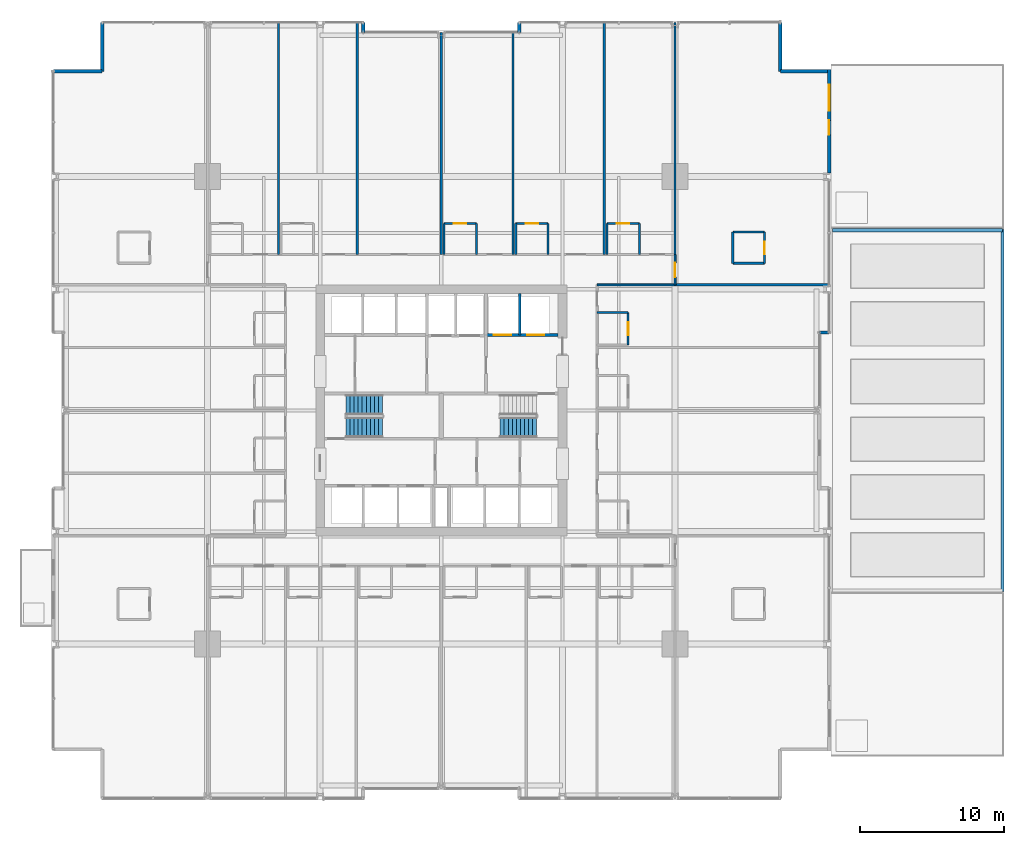
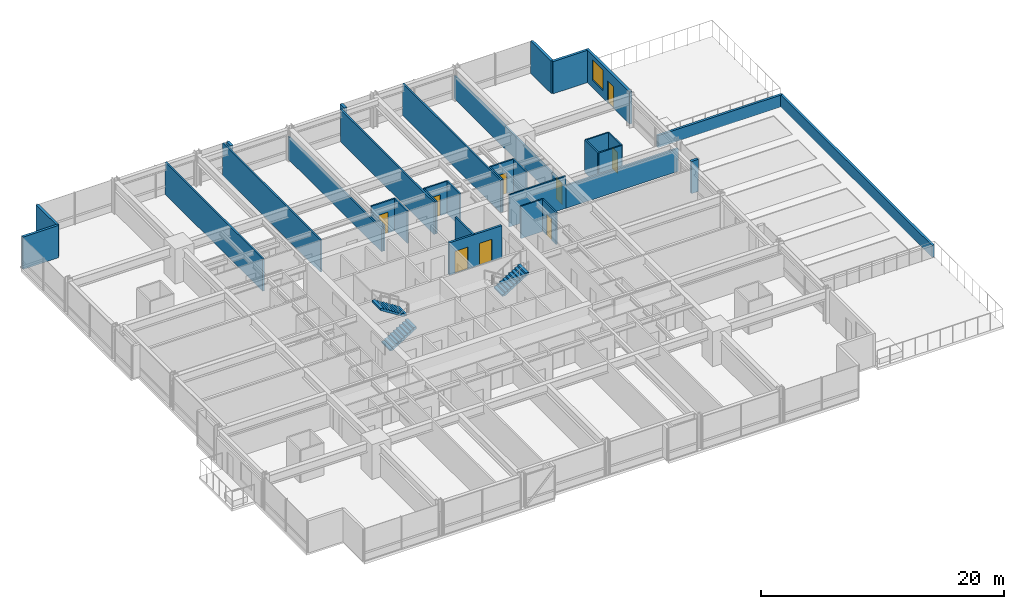
# One storey, part 35 of 42: 36 walls, 9 doors, 3 stair flights, 1 window, 10 openings, 2 elements without a shape of their own.
"""IFC4 building model written with IfcOpenShell, lengths in metres."""

from ifc_helpers import new_model, si_unit, direction, frame, frame_2d, origin, place, context, subcontext, project, spatial, polyline, rectangle, outline, extrude, material, layer, layer_set, type_object, element, fill, aggregate, save


model = new_model("IFC4")

# Units and contexts
model_context = context("Model", 3, precision=1e-05, world=origin(), true_north=direction((0.0, 1.0)))
body_context = subcontext(model_context, "Body", "Model", "MODEL_VIEW")
ifc_project = project(units=[si_unit("LENGTHUNIT", "METRE"), si_unit("AREAUNIT", "SQUARE_METRE"), si_unit("VOLUMEUNIT", "CUBIC_METRE"), si_unit("PLANEANGLEUNIT", "RADIAN"), si_unit("MASSUNIT", "GRAM", prefix="KILO")], contexts=[model_context])

# Site, building, storey
site_placement = place(None, origin())
site = spatial("IfcSite", under=ifc_project, at=site_placement, CompositionType="ELEMENT")
building_placement = place(site_placement, origin())
building = spatial("IfcBuilding", under=site, at=building_placement, Name="Drelvath Grand Hotel", CompositionType="ELEMENT")
storey_placement = place(building_placement, frame((0.0, 0.0, 33.199951171875)))
storey = spatial("IfcBuildingStorey", under=building, at=storey_placement, Name="L06", CompositionType="ELEMENT", Elevation=33.199951171875)

# Wall, openings, doors
ifc_material_1 = material(Name="Concrete C40/50", Category="concrete")
ifc_layer_1 = layer(ifc_material_1, 0.199951171875)
ifc_layer_set_1 = layer_set([ifc_layer_1], Name="Concrete C40/50")
wall_type_1 = type_object("IfcWallType", Name="Core Hoistway Fire Wall 200", PredefinedType="SOLIDWALL", material=ifc_layer_set_1)
wall_1_placement = place(storey_placement, frame((3.10009765625, 32.219970703125, 0.0), z_axis=(0.0, 0.0, 1.0), x_axis=(1.0, 0.0, 0.0)))
wall_1 = element("IfcWall", 1, at=wall_1_placement, inside=storey, type_object=wall_type_1, Name="L06 FSAE Hoistway Front Wall", PredefinedType="SOLIDWALL", context=body_context, shape_type="SweptSolid", body=[
    extrude(rectangle(XDim=5.0, YDim=0.199951171875, at=frame_2d((2.5, 0.0))), origin(), (0.0, 0.0, 1.0), 3.239990234375),
])
opening_1_placement = place(wall_1_placement, frame((0.550048828125, 0.0, 0.0)))
opening_1 = element("IfcOpeningElement", 2, at=opening_1_placement, cuts=wall_1, Name="Opening LD-FSAE-1", PredefinedType="OPENING", context=body_context, shape_type="SweptSolid", body=[
    extrude(rectangle(XDim=1.199951171875, YDim=2.199951171875, at=frame_2d((0.60009765625, 1.10009765625))), frame((0.0, 0.10986328125, 0.0), z_axis=(0.0, -1.0, 0.0), x_axis=(1.0, 0.0, 0.0)), (0.0, 0.0, 1.0), 0.219970703125),
])
opening_2_placement = place(wall_1_placement, frame((2.85009765625, 0.0, 0.0)))
opening_2 = element("IfcOpeningElement", 3, at=opening_2_placement, cuts=wall_1, Name="Opening LD-FSAE-2", PredefinedType="OPENING", context=body_context, shape_type="SweptSolid", body=[
    extrude(rectangle(XDim=1.199951171875, YDim=2.199951171875, at=frame_2d((0.60009765625, 1.10009765625))), frame((0.0, 0.10986328125, 0.0), z_axis=(0.0, -1.0, 0.0), x_axis=(1.0, 0.0, 0.0)), (0.0, 0.0, 1.0), 0.219970703125),
])
ifc_material_2 = material(Name="Stainless Steel S355", Category="steel")
door_type_1 = type_object("IfcDoorType", Name="FSAE Lift Sliding Landing Door 1200x2200", OperationType="NOTDEFINED", PredefinedType="DOOR", material=ifc_material_2)
door_1_placement = place(opening_1_placement, origin())
door_1 = element("IfcDoor", 4, at=door_1_placement, inside=storey, type_object=door_type_1, Name="L06 Lift FSAE-1 Landing Door", OperationType="SLIDING_TO_LEFT", OverallHeight=2.199951171875, OverallWidth=1.199951171875, PredefinedType="DOOR", context=body_context, shape_type="SweptSolid", body=[
    extrude(rectangle(XDim=1.199951171875, YDim=2.199951171875, at=frame_2d((0.60009765625, 1.10009765625))), frame((0.0, 0.02490234375, 0.0), z_axis=(0.0, -1.0, 0.0), x_axis=(1.0, 0.0, 0.0)), (0.0, 0.0, 1.0), 0.050048828125),
])
fill(opening_1, door_1)
door_2_placement = place(opening_2_placement, origin())
door_2 = element("IfcDoor", 5, at=door_2_placement, inside=storey, type_object=door_type_1, Name="L06 Lift FSAE-2 Landing Door", OperationType="SLIDING_TO_LEFT", OverallHeight=2.199951171875, OverallWidth=1.199951171875, PredefinedType="DOOR", context=body_context, shape_type="SweptSolid", body=[
    extrude(rectangle(XDim=1.199951171875, YDim=2.199951171875, at=frame_2d((0.60009765625, 1.10009765625))), frame((0.0, 0.02490234375, 0.0), z_axis=(0.0, -1.0, 0.0), x_axis=(1.0, 0.0, 0.0)), (0.0, 0.0, 1.0), 0.050048828125),
])
fill(opening_2, door_2)

# Walls
ifc_material_3 = material(Name="Gypsum Fireboard Partition")
ifc_layer_2 = layer(ifc_material_3, 0.1650390625)
ifc_layer_set_2 = layer_set([ifc_layer_2], Name="Gypsum Fireboard Partition")
wall_type_2 = type_object("IfcWallType", Name="Core Shaft Partition 165", PredefinedType="PARTITIONING", material=ifc_layer_set_2)
wall_2_placement = place(storey_placement, frame((5.449951171875, 32.219970703125, 0.0), z_axis=(0.0, 0.0, 1.0), x_axis=(0.0, 1.0, 0.0)))
element("IfcWall", 6, at=wall_2_placement, inside=storey, type_object=wall_type_2, Name="L06 FSAE Hoistway Divider", PredefinedType="PARTITIONING", context=body_context, shape_type="SweptSolid", body=[
    extrude(rectangle(XDim=2.880126953125, YDim=0.1650390625, at=frame_2d((1.43994140625, 0.0))), origin(), (0.0, 0.0, 1.0), 3.239990234375),
])
ifc_layer_3 = layer(ifc_material_3, 0.135009765625)
ifc_layer_set_3 = layer_set([ifc_layer_3], Name="Gypsum Fireboard Partition")
wall_type_3 = type_object("IfcWallType", Name="Corridor Fire Barrier Wall 135", PredefinedType="PARTITIONING", material=ifc_layer_set_3)
wall_3_placement = place(storey_placement, frame((10.800048828125, 35.699951171875, 0.0), z_axis=(0.0, 0.0, 1.0), x_axis=(1.0, 0.0, 0.0)))
element("IfcWall", 7, at=wall_3_placement, inside=storey, type_object=wall_type_3, Name="L06 NE Spur Inner Wall", PredefinedType="PARTITIONING", context=body_context, shape_type="SweptSolid", body=[
    extrude(rectangle(XDim=5.39990234375, YDim=0.135009765625, at=frame_2d((2.699951171875, 0.0))), origin(), (0.0, 0.0, 1.0), 3.239990234375),
])

# Wall, opening, door
wall_4_placement = place(storey_placement, frame((16.199951171875, 35.699951171875, 0.0), z_axis=(0.0, 0.0, 1.0), x_axis=(0.0, 1.0, 0.0)))
wall_4 = element("IfcWall", 8, at=wall_4_placement, inside=storey, type_object=wall_type_3, Name="L06 North Corridor East End", PredefinedType="PARTITIONING", context=body_context, shape_type="SweptSolid", body=[
    extrude(rectangle(XDim=2.10009765625, YDim=0.135009765625, at=frame_2d((1.050048828125, 0.0))), origin(), (0.0, 0.0, 1.0), 2.29833984375),
])
opening_3_placement = place(wall_4_placement, frame((0.52001953125, 0.0, 0.0)))
opening_3 = element("IfcOpeningElement", 9, at=opening_3_placement, cuts=wall_4, Name="Opening D-T1G1-025", PredefinedType="OPENING", context=body_context, shape_type="SweptSolid", body=[
    extrude(rectangle(XDim=1.02001953125, YDim=2.14990234375, at=frame_2d((0.510009765625, 1.074951171875))), frame((0.0, 0.077392578125, 0.0), z_axis=(0.0, -1.0, 0.0), x_axis=(1.0, 0.0, 0.0)), (0.0, 0.0, 1.0), 0.155029296875),
])
ifc_material_4 = material(Name="Hardwood Walnut Timber", Category="wood")
door_type_2 = type_object("IfcDoorType", Name="Amenity Meeting Fire Door 1020x2150", OperationType="NOTDEFINED", PredefinedType="DOOR", material=ifc_material_4)
door_3_placement = place(opening_3_placement, origin())
door_3 = element("IfcDoor", 10, at=door_3_placement, inside=storey, type_object=door_type_2, Name="L06 Corner Suite Entry Door", OperationType="SINGLE_SWING_RIGHT", OverallHeight=2.14990234375, OverallWidth=1.02001953125, PredefinedType="DOOR", context=body_context, shape_type="SweptSolid", body=[
    extrude(rectangle(XDim=1.02001953125, YDim=2.14990234375, at=frame_2d((0.510009765625, 1.074951171875))), frame((0.0, 0.02490234375, 0.0), z_axis=(0.0, -1.0, 0.0), x_axis=(1.0, 0.0, 0.0)), (0.0, 0.0, 1.0), 0.050048828125),
])
fill(opening_3, door_3)

# Walls
ifc_material_5 = material(Name="Moisture-Resistant Gypsum Board")
ifc_layer_4 = layer(ifc_material_5, 0.139892578125)
ifc_layer_set_4 = layer_set([ifc_layer_4], Name="Moisture-Resistant Gypsum Board")
wall_type_4 = type_object("IfcWallType", Name="En-Suite Plumbing Wall 140", PredefinedType="PLUMBINGWALL", material=ifc_layer_set_4)
for number, where, z_axis, x_axis, name in (
    (11, (20.199951171875, 37.199951171875, 0.0), (0.0, 0.0, 1.0), (1.0, 0.0, 0.0), "L06 Corner En-Suite South"),
    (12, (20.199951171875, 39.35009765625, 0.0), (0.0, 0.0, 1.0), (1.0, 0.0, 0.0), "L06 Corner En-Suite North"),
):
    element("IfcWall", number, at=place(storey_placement, frame(where, z_axis=z_axis, x_axis=x_axis)), inside=storey, type_object=wall_type_4, Name=name, PredefinedType="PLUMBINGWALL", context=body_context, shape_type="SweptSolid", body=[
        extrude(rectangle(XDim=2.199951171875, YDim=0.139892578125, at=frame_2d((1.10009765625, 0.0))), origin(), (0.0, 0.0, 1.0), 3.239990234375),
    ])
wall_5_placement = place(storey_placement, frame((20.199951171875, 37.199951171875, 0.0), z_axis=(0.0, 0.0, 1.0), x_axis=(0.0, 1.0, 0.0)))
element("IfcWall", 13, at=wall_5_placement, inside=storey, type_object=wall_type_4, Name="L06 Corner En-Suite West", PredefinedType="PLUMBINGWALL", context=body_context, shape_type="SweptSolid", body=[
    extrude(rectangle(XDim=2.150146484375, YDim=0.139892578125, at=frame_2d((1.0751953125, 0.0))), origin(), (0.0, 0.0, 1.0), 3.239990234375),
])

# Wall, opening, door
wall_6_placement = place(storey_placement, frame((22.39990234375, 37.199951171875, 0.0), z_axis=(0.0, 0.0, 1.0), x_axis=(0.0, 1.0, 0.0)))
wall_6 = element("IfcWall", 14, at=wall_6_placement, inside=storey, type_object=wall_type_4, Name="L06 Corner En-Suite East", PredefinedType="PLUMBINGWALL", context=body_context, shape_type="SweptSolid", body=[
    extrude(rectangle(XDim=2.150146484375, YDim=0.139892578125, at=frame_2d((1.0751953125, 0.0))), origin(), (0.0, 0.0, 1.0), 3.239990234375),
])
opening_4_placement = place(wall_6_placement, frame((0.6201171875, 0.0, 0.0)))
opening_4 = element("IfcOpeningElement", 15, at=opening_4_placement, cuts=wall_6, Name="Opening D-T1G1-024", PredefinedType="OPENING", context=body_context, shape_type="SweptSolid", body=[
    extrude(rectangle(XDim=0.8798828125, YDim=2.10009765625, at=frame_2d((0.43994140625, 1.050048828125))), frame((0.0, 0.079833984375, 0.0), z_axis=(0.0, -1.0, 0.0), x_axis=(1.0, 0.0, 0.0)), (0.0, 0.0, 1.0), 0.159912109375),
])
door_type_3 = type_object("IfcDoorType", Name="En-Suite Bathroom Door 880x2100", OperationType="NOTDEFINED", PredefinedType="DOOR", material=ifc_material_4)
door_4_placement = place(opening_4_placement, origin())
door_4 = element("IfcDoor", 16, at=door_4_placement, inside=storey, type_object=door_type_3, Name="L06 Corner En-Suite Door", OperationType="SINGLE_SWING_LEFT", OverallHeight=2.10009765625, OverallWidth=0.8798828125, PredefinedType="DOOR", context=body_context, shape_type="SweptSolid", body=[
    extrude(rectangle(XDim=0.8798828125, YDim=2.10009765625, at=frame_2d((0.43994140625, 1.050048828125))), frame((0.0, 0.02490234375, 0.0), z_axis=(0.0, -1.0, 0.0), x_axis=(1.0, 0.0, 0.0)), (0.0, 0.0, 1.0), 0.050048828125),
])
fill(opening_4, door_4)

# Walls
wall_7_placement = place(storey_placement, frame((0.179931640625, 37.800048828125, 0.0), z_axis=(0.0, 0.0, 1.0), x_axis=(0.0, 1.0, 0.0)))
element("IfcWall", 17, at=wall_7_placement, inside=storey, type_object=wall_type_4, Name="L06 En-Suite Left Wall", PredefinedType="PLUMBINGWALL", context=body_context, shape_type="SweptSolid", body=[
    extrude(rectangle(XDim=2.14990234375, YDim=0.139892578125, at=frame_2d((1.074951171875, 0.0))), origin(), (0.0, 0.0, 1.0), 2.617431640625),
])
wall_8_placement = place(storey_placement, frame((2.429931640625, 37.800048828125, 0.0), z_axis=(0.0, 0.0, 1.0), x_axis=(0.0, 1.0, 0.0)))
element("IfcWall", 18, at=wall_8_placement, inside=storey, type_object=wall_type_4, Name="L06 En-Suite Right Wall", PredefinedType="PLUMBINGWALL", context=body_context, shape_type="SweptSolid", body=[
    extrude(rectangle(XDim=2.14990234375, YDim=0.139892578125, at=frame_2d((1.074951171875, 0.0))), origin(), (0.0, 0.0, 1.0), 3.239990234375),
])

# Wall, opening, door
wall_9_placement = place(storey_placement, frame((0.179931640625, 39.949951171875, 0.0), z_axis=(0.0, 0.0, 1.0), x_axis=(1.0, 0.0, 0.0)))
wall_9 = element("IfcWall", 19, at=wall_9_placement, inside=storey, type_object=wall_type_4, Name="L06 En-Suite Front Wall", PredefinedType="PLUMBINGWALL", context=body_context, shape_type="SweptSolid", body=[
    extrude(rectangle(XDim=2.25, YDim=0.139892578125, at=frame_2d((1.125, 0.0))), origin(), (0.0, 0.0, 1.0), 3.239990234375),
])
opening_5_placement = place(wall_9_placement, frame((0.68505859375, 0.0, 0.0)))
opening_5 = element("IfcOpeningElement", 20, at=opening_5_placement, cuts=wall_9, Name="Opening D-T1G1-043", PredefinedType="OPENING", context=body_context, shape_type="SweptSolid", body=[
    extrude(rectangle(XDim=0.8798828125, YDim=2.10009765625, at=frame_2d((0.43994140625, 1.050048828125))), frame((0.0, 0.079833984375, 0.0), z_axis=(0.0, -1.0, 0.0), x_axis=(1.0, 0.0, 0.0)), (0.0, 0.0, 1.0), 0.159912109375),
])
door_5_placement = place(opening_5_placement, origin())
door_5 = element("IfcDoor", 21, at=door_5_placement, inside=storey, type_object=door_type_3, Name="L06 En-Suite Bathroom Door", OperationType="SINGLE_SWING_RIGHT", OverallHeight=2.10009765625, OverallWidth=0.8798828125, PredefinedType="DOOR", context=body_context, shape_type="SweptSolid", body=[
    extrude(rectangle(XDim=0.8798828125, YDim=2.10009765625, at=frame_2d((0.43994140625, 1.050048828125))), frame((0.0, 0.02490234375, 0.0), z_axis=(0.0, -1.0, 0.0), x_axis=(1.0, 0.0, 0.0)), (0.0, 0.0, 1.0), 0.050048828125),
])
fill(opening_5, door_5)

# Walls
for number, where, z_axis, x_axis, name in (
    (22, (5.159912109375, 37.800048828125, 0.0), (0.0, 0.0, 1.0), (0.0, 1.0, 0.0), "L06 En-Suite Left Wall"),
    (23, (7.409912109375, 37.800048828125, 0.0), (0.0, 0.0, 1.0), (0.0, 1.0, 0.0), "L06 En-Suite Right Wall"),
):
    element("IfcWall", number, at=place(storey_placement, frame(where, z_axis=z_axis, x_axis=x_axis)), inside=storey, type_object=wall_type_4, Name=name, PredefinedType="PLUMBINGWALL", context=body_context, shape_type="SweptSolid", body=[
        extrude(rectangle(XDim=2.14990234375, YDim=0.139892578125, at=frame_2d((1.074951171875, 0.0))), origin(), (0.0, 0.0, 1.0), 3.239990234375),
    ])

# Wall, opening, door
wall_10_placement = place(storey_placement, frame((5.159912109375, 39.949951171875, 0.0), z_axis=(0.0, 0.0, 1.0), x_axis=(1.0, 0.0, 0.0)))
wall_10 = element("IfcWall", 24, at=wall_10_placement, inside=storey, type_object=wall_type_4, Name="L06 En-Suite Front Wall", PredefinedType="PLUMBINGWALL", context=body_context, shape_type="SweptSolid", body=[
    extrude(rectangle(XDim=2.25, YDim=0.139892578125, at=frame_2d((1.125, 0.0))), origin(), (0.0, 0.0, 1.0), 3.239990234375),
])
opening_6_placement = place(wall_10_placement, frame((0.68505859375, 0.0, 0.0)))
opening_6 = element("IfcOpeningElement", 25, at=opening_6_placement, cuts=wall_10, Name="Opening D-T1G1-045", PredefinedType="OPENING", context=body_context, shape_type="SweptSolid", body=[
    extrude(rectangle(XDim=0.8798828125, YDim=2.10009765625, at=frame_2d((0.43994140625, 1.050048828125))), frame((0.0, 0.079833984375, 0.0), z_axis=(0.0, -1.0, 0.0), x_axis=(1.0, 0.0, 0.0)), (0.0, 0.0, 1.0), 0.159912109375),
])
door_6_placement = place(opening_6_placement, origin())
door_6 = element("IfcDoor", 26, at=door_6_placement, inside=storey, type_object=door_type_3, Name="L06 En-Suite Bathroom Door", OperationType="SINGLE_SWING_RIGHT", OverallHeight=2.10009765625, OverallWidth=0.8798828125, PredefinedType="DOOR", context=body_context, shape_type="SweptSolid", body=[
    extrude(rectangle(XDim=0.8798828125, YDim=2.10009765625, at=frame_2d((0.43994140625, 1.050048828125))), frame((0.0, 0.02490234375, 0.0), z_axis=(0.0, -1.0, 0.0), x_axis=(1.0, 0.0, 0.0)), (0.0, 0.0, 1.0), 0.050048828125),
])
fill(opening_6, door_6)

# Walls
for number, where, z_axis, x_axis, name in (
    (27, (11.470947265625, 37.800048828125, 0.0), (0.0, 0.0, 1.0), (0.0, 1.0, 0.0), "L06 En-Suite Left Wall"),
    (28, (13.720947265625, 37.800048828125, 0.0), (0.0, 0.0, 1.0), (0.0, 1.0, 0.0), "L06 En-Suite Right Wall"),
):
    element("IfcWall", number, at=place(storey_placement, frame(where, z_axis=z_axis, x_axis=x_axis)), inside=storey, type_object=wall_type_4, Name=name, PredefinedType="PLUMBINGWALL", context=body_context, shape_type="SweptSolid", body=[
        extrude(rectangle(XDim=2.14990234375, YDim=0.139892578125, at=frame_2d((1.074951171875, 0.0))), origin(), (0.0, 0.0, 1.0), 3.239990234375),
    ])

# Wall, opening, door
wall_11_placement = place(storey_placement, frame((11.470947265625, 39.949951171875, 0.0), z_axis=(0.0, 0.0, 1.0), x_axis=(1.0, 0.0, 0.0)))
wall_11 = element("IfcWall", 29, at=wall_11_placement, inside=storey, type_object=wall_type_4, Name="L06 En-Suite Front Wall", PredefinedType="PLUMBINGWALL", context=body_context, shape_type="SweptSolid", body=[
    extrude(rectangle(XDim=2.25, YDim=0.139892578125, at=frame_2d((1.125, 0.0))), origin(), (0.0, 0.0, 1.0), 3.239990234375),
])
opening_7_placement = place(wall_11_placement, frame((0.68505859375, 0.0, 0.0)))
opening_7 = element("IfcOpeningElement", 30, at=opening_7_placement, cuts=wall_11, Name="Opening D-T1G1-047", PredefinedType="OPENING", context=body_context, shape_type="SweptSolid", body=[
    extrude(rectangle(XDim=0.8798828125, YDim=2.10009765625, at=frame_2d((0.43994140625, 1.050048828125))), frame((0.0, 0.079833984375, 0.0), z_axis=(0.0, -1.0, 0.0), x_axis=(1.0, 0.0, 0.0)), (0.0, 0.0, 1.0), 0.159912109375),
])
door_7_placement = place(opening_7_placement, origin())
door_7 = element("IfcDoor", 31, at=door_7_placement, inside=storey, type_object=door_type_3, Name="L06 En-Suite Bathroom Door", OperationType="SINGLE_SWING_RIGHT", OverallHeight=2.10009765625, OverallWidth=0.8798828125, PredefinedType="DOOR", context=body_context, shape_type="SweptSolid", body=[
    extrude(rectangle(XDim=0.8798828125, YDim=2.10009765625, at=frame_2d((0.43994140625, 1.050048828125))), frame((0.0, 0.02490234375, 0.0), z_axis=(0.0, -1.0, 0.0), x_axis=(1.0, 0.0, 0.0)), (0.0, 0.0, 1.0), 0.050048828125),
])
fill(opening_7, door_7)

# Wall
wall_12_placement = place(storey_placement, frame((10.800048828125, 33.780029296875, 0.0), z_axis=(0.0, 0.0, 1.0), x_axis=(1.0, 0.0, 0.0)))
element("IfcWall", 32, at=wall_12_placement, inside=storey, type_object=wall_type_4, Name="L06 En-Suite Right Wall", PredefinedType="PLUMBINGWALL", context=body_context, shape_type="SweptSolid", body=[
    extrude(rectangle(XDim=2.14990234375, YDim=0.139892578125, at=frame_2d((1.074951171875, 0.0))), origin(), (0.0, 0.0, 1.0), 3.239990234375),
])

# Wall, opening, door
wall_13_placement = place(storey_placement, frame((12.949951171875, 31.530029296875, 0.0), z_axis=(0.0, 0.0, 1.0), x_axis=(0.0, 1.0, 0.0)))
wall_13 = element("IfcWall", 33, at=wall_13_placement, inside=storey, type_object=wall_type_4, Name="L06 En-Suite Front Wall", PredefinedType="PLUMBINGWALL", context=body_context, shape_type="SweptSolid", body=[
    extrude(rectangle(XDim=2.25, YDim=0.139892578125, at=frame_2d((1.125, 0.0))), origin(), (0.0, 0.0, 1.0), 3.239990234375),
])
opening_8_placement = place(wall_13_placement, frame((0.68505859375, 0.0, 0.0)))
opening_8 = element("IfcOpeningElement", 34, at=opening_8_placement, cuts=wall_13, Name="Opening D-T1G1-062", PredefinedType="OPENING", context=body_context, shape_type="SweptSolid", body=[
    extrude(rectangle(XDim=0.8798828125, YDim=2.10009765625, at=frame_2d((0.43994140625, 1.050048828125))), frame((0.0, 0.079833984375, 0.0), z_axis=(0.0, -1.0, 0.0), x_axis=(1.0, 0.0, 0.0)), (0.0, 0.0, 1.0), 0.159912109375),
])
door_8_placement = place(opening_8_placement, origin())
door_8 = element("IfcDoor", 35, at=door_8_placement, inside=storey, type_object=door_type_3, Name="L06 En-Suite Bathroom Door", OperationType="SINGLE_SWING_LEFT", OverallHeight=2.10009765625, OverallWidth=0.8798828125, PredefinedType="DOOR", context=body_context, shape_type="SweptSolid", body=[
    extrude(rectangle(XDim=0.8798828125, YDim=2.10009765625, at=frame_2d((0.43994140625, 1.050048828125))), frame((0.0, 0.02490234375, 0.0), z_axis=(0.0, -1.0, 0.0), x_axis=(1.0, 0.0, 0.0)), (0.0, 0.0, 1.0), 0.050048828125),
])
fill(opening_8, door_8)

# Walls
ifc_material_6 = material(Name="Gypsum Acoustic Partition")
ifc_layer_5 = layer(ifc_material_6, 0.14990234375)
ifc_layer_set_5 = layer_set([ifc_layer_5], Name="Gypsum Acoustic Partition")
wall_type_5 = type_object("IfcWallType", Name="Guestroom Demising Wall 150", PredefinedType="PARTITIONING", material=ifc_layer_set_5)
for number, where, z_axis, x_axis, name in (
    (36, (-11.291015625, 37.800048828125, 0.0), (0.0, 0.0, 1.0), (0.0, 1.0, 0.0), "L06 North Demising 1"),
    (37, (-5.820068359375, 37.800048828125, 0.0), (0.0, 0.0, 1.0), (0.0, 1.0, 0.0), "L06 North Demising 2"),
):
    element("IfcWall", number, at=place(storey_placement, frame(where, z_axis=z_axis, x_axis=x_axis)), inside=storey, type_object=wall_type_5, Name=name, PredefinedType="PARTITIONING", context=body_context, shape_type="SweptSolid", body=[
        extrude(rectangle(XDim=16.079833984375, YDim=0.14990234375, at=frame_2d((8.0400390625, 0.0))), origin(), (0.0, 0.0, 1.0), 3.239990234375),
    ])
wall_14_placement = place(storey_placement, frame((0.0, 37.800048828125, 0.0), z_axis=(0.0, 0.0, 1.0), x_axis=(0.0, 1.0, 0.0)))
element("IfcWall", 38, at=wall_14_placement, inside=storey, type_object=wall_type_5, Name="L06 North Demising 3", PredefinedType="PARTITIONING", context=body_context, shape_type="SweptSolid", body=[
    extrude(rectangle(XDim=15.39990234375, YDim=0.14990234375, at=frame_2d((7.699951171875, 0.0))), origin(), (0.0, 0.0, 1.0), 2.29833984375),
])
wall_15_placement = place(storey_placement, frame((4.97998046875, 37.800048828125, 0.0), z_axis=(0.0, 0.0, 1.0), x_axis=(0.0, 1.0, 0.0)))
element("IfcWall", 39, at=wall_15_placement, inside=storey, type_object=wall_type_5, Name="L06 North Demising 4", PredefinedType="PARTITIONING", context=body_context, shape_type="SweptSolid", body=[
    extrude(rectangle(XDim=15.39990234375, YDim=0.14990234375, at=frame_2d((7.699951171875, 0.0))), origin(), (0.0, 0.0, 1.0), 3.239990234375),
])
wall_16_placement = place(storey_placement, frame((11.291015625, 37.800048828125, 0.0), z_axis=(0.0, 0.0, 1.0), x_axis=(0.0, 1.0, 0.0)))
element("IfcWall", 40, at=wall_16_placement, inside=storey, type_object=wall_type_5, Name="L06 North Demising 5", PredefinedType="PARTITIONING", context=body_context, shape_type="SweptSolid", body=[
    extrude(rectangle(XDim=16.079833984375, YDim=0.14990234375, at=frame_2d((8.0400390625, 0.0))), origin(), (0.0, 0.0, 1.0), 3.239990234375),
])
ifc_material_7 = material(Name="Pale-Metal Cladded Concrete C40/50 Parapet", Category="concrete")
ifc_layer_6 = layer(ifc_material_7, 0.219970703125)
ifc_layer_set_6 = layer_set([ifc_layer_6], Name="Pale-Metal Cladded Concrete C40/50 Parapet")
wall_type_6 = type_object("IfcWallType", Name="Roof Coping Parapet Wall 220", PredefinedType="PARAPET", material=ifc_layer_set_6)
wall_17_placement = place(storey_placement, frame((38.889892578125, 39.550048828125, 0.0), z_axis=(0.0, 0.0, 1.0), x_axis=(0.0, -1.0, 0.0)))
element("IfcWall", 41, at=wall_17_placement, inside=storey, type_object=wall_type_6, Name="L06 Atrium Roof Parapet Wall E", PredefinedType="PARAPET", context=body_context, shape_type="SweptSolid", body=[
    extrude(rectangle(XDim=25.10009765625, YDim=0.219970703125, at=frame_2d((12.550048828125, 0.0))), origin(), (0.0, 0.0, 1.0), 1.199951171875),
])
wall_18_placement = place(storey_placement, frame((27.10009765625, 39.489990234375, 0.0), z_axis=(0.0, 0.0, 1.0), x_axis=(1.0, 0.0, 0.0)))
element("IfcWall", 42, at=wall_18_placement, inside=storey, type_object=wall_type_6, Name="L06 Atrium Roof Parapet Wall N", PredefinedType="PARAPET", context=body_context, shape_type="SweptSolid", body=[
    extrude(rectangle(XDim=11.789794921875, YDim=0.219970703125, at=frame_2d((5.89501953125, 0.0))), origin(), (0.0, 0.0, 1.0), 1.199951171875),
])
ifc_layer_7 = layer(ifc_material_6, 0.1650390625)
ifc_layer_set_7 = layer_set([ifc_layer_7], Name="Gypsum Acoustic Partition")
wall_type_7 = type_object("IfcWallType", Name="Suite Demising Wall 165", PredefinedType="PARTITIONING", material=ifc_layer_set_7)
wall_19_placement = place(storey_placement, frame((16.199951171875, 37.800048828125, 0.0), z_axis=(0.0, 0.0, 1.0), x_axis=(0.0, 1.0, 0.0)))
element("IfcWall", 43, at=wall_19_placement, inside=storey, type_object=wall_type_7, Name="L06 NE Wing Boundary Wall", PredefinedType="PARTITIONING", context=body_context, shape_type="SweptSolid", body=[
    extrude(rectangle(XDim=16.079833984375, YDim=0.1650390625, at=frame_2d((8.0400390625, 0.0))), origin(), (0.0, 0.0, 1.0), 2.29833984375),
])
wall_20_placement = place(storey_placement, frame((16.199951171875, 35.699951171875, 0.0), z_axis=(0.0, 0.0, 1.0), x_axis=(1.0, 0.0, 0.0)))
element("IfcWall", 44, at=wall_20_placement, inside=storey, type_object=wall_type_7, Name="L06 NE Corner South Wall", PredefinedType="PARTITIONING", context=body_context, shape_type="SweptSolid", body=[
    extrude(rectangle(XDim=10.679931640625, YDim=0.1650390625, at=frame_2d((5.33984375, 0.0))), origin(), (0.0, 0.0, 1.0), 2.29833984375),
])

# Wall, openings, window, door
ifc_material_8 = material(Name="Pale-Metal Insulated Aluminium Spandrel Assembly", Category="aluminium")
ifc_layer_8 = layer(ifc_material_8, 0.239990234375)
ifc_layer_set_8 = layer_set([ifc_layer_8], Name="Pale-Metal Insulated Aluminium Spandrel Assembly")
wall_type_8 = type_object("IfcWallType", Name="Tower Insulated Metal Spandrel Closure Wall 240", PredefinedType="STANDARD", material=ifc_layer_set_8)
wall_21_placement = place(storey_placement, frame((26.8798828125, 50.6201171875, 0.0), z_axis=(0.0, 0.0, 1.0), x_axis=(0.0, -1.0, 0.0)))
wall_21 = element("IfcWall", 45, at=wall_21_placement, inside=storey, type_object=wall_type_8, Name="L06 Exterior Terrace Door Bay Wall EN3", PredefinedType="STANDARD", context=body_context, shape_type="SweptSolid", body=[
    extrude(rectangle(XDim=7.17919921875, YDim=0.239990234375, at=frame_2d((3.589599609375, 0.0))), origin(), (0.0, 0.0, 1.0), 3.239990234375),
])
opening_9_placement = place(wall_21_placement, frame((3.52001953125, 0.0, 0.0)))
opening_9 = element("IfcOpeningElement", 46, at=opening_9_placement, cuts=wall_21, Name="Opening TD-1000", PredefinedType="OPENING", context=body_context, shape_type="SweptSolid", body=[
    extrude(rectangle(XDim=1.0, YDim=2.199951171875, at=frame_2d((0.5, 1.10009765625))), frame((0.0, 0.1298828125, 0.0), z_axis=(0.0, -1.0, 0.0), x_axis=(1.0, 0.0, 0.0)), (0.0, 0.0, 1.0), 0.260009765625),
])
opening_10_placement = place(wall_21_placement, frame((1.034912109375, 0.0, 0.75)))
opening_10 = element("IfcOpeningElement", 47, at=opening_10_placement, cuts=wall_21, Name="Opening W-02", PredefinedType="OPENING", context=body_context, shape_type="SweptSolid", body=[
    extrude(rectangle(XDim=1.800048828125, YDim=2.050048828125, at=frame_2d((0.89990234375, 1.02490234375))), frame((0.0, 0.1298828125, 0.0), z_axis=(0.0, -1.0, 0.0), x_axis=(1.0, 0.0, 0.0)), (0.0, 0.0, 1.0), 0.260009765625),
])
ifc_material_9 = material(Name="Bronze Anodised Low-E Triple Glazing", Category="glass")
window_type = type_object("IfcWindowType", Name="Chicago Double-Pane Podium Window 1800x2400", PartitioningType="DOUBLE_PANEL_VERTICAL", PredefinedType="WINDOW", material=ifc_material_9)
window_placement = place(opening_10_placement, origin())
window = element("IfcWindow", 48, at=window_placement, inside=storey, type_object=window_type, Name="L06 Terrace Bay Companion Window EN3", OverallHeight=2.050048828125, OverallWidth=1.800048828125, PartitioningType="SINGLE_PANEL", PredefinedType="WINDOW", context=body_context, shape_type="SweptSolid", body=[
    extrude(rectangle(XDim=1.800048828125, YDim=2.050048828125, at=frame_2d((0.89990234375, 1.02490234375))), frame((0.0, 0.030029296875, 0.0), z_axis=(0.0, -1.0, 0.0), x_axis=(1.0, 0.0, 0.0)), (0.0, 0.0, 1.0), 0.06005859375),
])
fill(opening_10, window)
ifc_material_10 = material(Name="Anodised Aluminium Thermally Broken Glazed Door", Category="aluminium")
door_type_4 = type_object("IfcDoorType", Name="Terrace and Tree Balcony Glazed Door 1000x2200", OperationType="NOTDEFINED", PredefinedType="DOOR", material=ifc_material_10)
door_9_placement = place(opening_9_placement, origin())
door_9 = element("IfcDoor", 49, at=door_9_placement, inside=storey, type_object=door_type_4, Name="L06 Setback Terrace Door DOOR-L06-TERR-2", OperationType="SINGLE_SWING_LEFT", OverallHeight=2.199951171875, OverallWidth=1.0, PredefinedType="DOOR", context=body_context, shape_type="SweptSolid", body=[
    extrude(rectangle(XDim=1.0, YDim=2.199951171875, at=frame_2d((0.5, 1.10009765625))), frame((0.0, 0.02490234375, 0.0), z_axis=(0.0, -1.0, 0.0), x_axis=(1.0, 0.0, 0.0)), (0.0, 0.0, 1.0), 0.050048828125),
])
fill(opening_9, door_9)

# Walls
for number, where, z_axis, x_axis, name in (
    (50, (-26.8798828125, 50.5, 0.0), (0.0, 0.0, 1.0), (1.0, 0.0, 0.0), "L06 Notched Corner Return Spandrel Wall CNW1"),
    (51, (-23.5, 50.5, 0.0), (0.0, 0.0, 1.0), (0.0, 1.0, 0.0), "L06 Notched Corner Return Spandrel Wall CNW2"),
    (52, (23.5, 53.8798828125, 0.0), (0.0, 0.0, 1.0), (0.0, -1.0, 0.0), "L06 Notched Corner Return Spandrel Wall CNE1"),
):
    element("IfcWall", number, at=place(storey_placement, frame(where, z_axis=z_axis, x_axis=x_axis)), inside=storey, type_object=wall_type_8, Name=name, PredefinedType="STANDARD", context=body_context, shape_type="SweptSolid", body=[
        extrude(rectangle(XDim=3.3798828125, YDim=0.239990234375, at=frame_2d((1.68994140625, 0.0))), origin(), (0.0, 0.0, 1.0), 3.239990234375),
    ])
wall_22_placement = place(storey_placement, frame((23.5, 50.5, 0.0), z_axis=(0.0, 0.0, 1.0), x_axis=(1.0, 0.0, 0.0)))
element("IfcWall", 53, at=wall_22_placement, inside=storey, type_object=wall_type_8, Name="L06 Notched Corner Return Spandrel Wall CNE2", PredefinedType="STANDARD", context=body_context, shape_type="SweptSolid", body=[
    extrude(rectangle(XDim=3.260009765625, YDim=0.239990234375, at=frame_2d((1.6298828125, 0.0))), origin(), (0.0, 0.0, 1.0), 3.239990234375),
])
for number, where, z_axis, x_axis, name in (
    (54, (26.8798828125, 32.39990234375, 0.0), (0.0, 0.0, 1.0), (-1.0, 0.0, 0.0), "L06 Notched Corner Return Spandrel Wall RE1"),
    (55, (-5.39990234375, 53.8798828125, 0.0), (0.0, 0.0, 1.0), (0.0, -1.0, 0.0), "L06 Notched Corner Return Spandrel Wall RN1"),
    (56, (5.39990234375, 53.199951171875, 0.0), (0.0, 0.0, 1.0), (0.0, 1.0, 0.0), "L06 Notched Corner Return Spandrel Wall RN2"),
):
    element("IfcWall", number, at=place(storey_placement, frame(where, z_axis=z_axis, x_axis=x_axis)), inside=storey, type_object=wall_type_8, Name=name, PredefinedType="STANDARD", context=body_context, shape_type="SweptSolid", body=[
        extrude(rectangle(XDim=0.679931640625, YDim=0.239990234375, at=frame_2d((0.33984375, 0.0))), origin(), (0.0, 0.0, 1.0), 3.239990234375),
    ])

# Stair, stair flights
stair_type = type_object("IfcStairType", Name="Dogleg Exit Stair W1400-R175.0", PredefinedType="HALF_TURN_STAIR", material=ifc_material_1)
stair_1_placement = place(storey_placement, origin())
stair_1 = element("IfcStair", 57, at=stair_1_placement, inside=storey, type_object=stair_type, Name="L06 Core Exit Stair ST-1", PredefinedType="HALF_TURN_STAIR")
stair_flight_type = type_object("IfcStairFlightType", Name="Concrete Stair Flight W1400-R175.0", PredefinedType="STRAIGHT", material=ifc_material_1)
stair_flight_1_placement = place(storey_placement, frame((-6.60009765625, 25.820068359375, 0.0), z_axis=(0.0, 0.0, 1.0), x_axis=(1.0, 0.0, 0.0)))
stair_flight_1 = element("IfcStairFlight", 58, at=stair_flight_1_placement, type_object=stair_flight_type, Name="ST-1 flight 1", NumberOfRisers=10, NumberOfTreads=9, PredefinedType="STRAIGHT", RiserHeight=0.175, TreadLength=0.28, context=body_context, shape_type="SweptSolid", body=[
    extrude(outline(polyline([(0.0, 0.0), (0.0, 0.175048828125), (0.280029296875, 0.175048828125), (0.280029296875, 0.35009765625), (0.56005859375, 0.35009765625), (0.56005859375, 0.52490234375), (0.840087890625, 0.52490234375), (0.840087890625, 0.699951171875), (1.1201171875, 0.699951171875), (1.1201171875, 0.875), (1.39990234375, 0.875), (1.39990234375, 1.050048828125), (1.679931640625, 1.050048828125), (1.679931640625, 1.22509765625), (1.9599609375, 1.22509765625), (1.9599609375, 1.39990234375), (2.239990234375, 1.39990234375), (2.239990234375, 1.574951171875), (2.52001953125, 1.574951171875), (2.52001953125, 1.75), (2.52001953125, 1.386474609375), (0.3017578125, 0.0), (0.0, 0.0)])), frame((0.0, 0.699951171875, 0.0), z_axis=(0.0, -1.0, 0.0), x_axis=(1.0, 0.0, 0.0)), (0.0, 0.0, 1.0), 1.39990234375),
])
stair_flight_2_placement = place(storey_placement, frame((-4.080078125, 27.3798828125, 1.75), z_axis=(0.0, 0.0, 1.0), x_axis=(-1.0, 0.0, 0.0)))
stair_flight_2 = element("IfcStairFlight", 59, at=stair_flight_2_placement, type_object=stair_flight_type, Name="ST-1 flight 2", NumberOfRisers=10, NumberOfTreads=9, PredefinedType="STRAIGHT", RiserHeight=0.175, TreadLength=0.28, context=body_context, shape_type="SweptSolid", body=[
    extrude(outline(polyline([(0.0, 0.0), (0.0, 0.175048828125), (0.280029296875, 0.175048828125), (0.280029296875, 0.35009765625), (0.56005859375, 0.35009765625), (0.56005859375, 0.52490234375), (0.840087890625, 0.52490234375), (0.840087890625, 0.699951171875), (1.1201171875, 0.699951171875), (1.1201171875, 0.875), (1.39990234375, 0.875), (1.39990234375, 1.050048828125), (1.679931640625, 1.050048828125), (1.679931640625, 1.22509765625), (1.9599609375, 1.22509765625), (1.9599609375, 1.39990234375), (2.239990234375, 1.39990234375), (2.239990234375, 1.574951171875), (2.52001953125, 1.574951171875), (2.52001953125, 1.75), (2.52001953125, 1.386474609375), (0.3017578125, 0.0), (0.0, 0.0)])), frame((0.0, 0.699951171875, 0.0), z_axis=(0.0, -1.0, 0.0), x_axis=(1.0, 0.0, 0.0)), (0.0, 0.0, 1.0), 1.39990234375),
])
aggregate(stair_1, [stair_flight_1, stair_flight_2])

# Stair, stair flight
stair_2_placement = place(storey_placement, origin())
stair_2 = element("IfcStair", 60, at=stair_2_placement, inside=storey, type_object=stair_type, Name="L06 Core Exit Stair ST-2", PredefinedType="HALF_TURN_STAIR")
stair_flight_3_placement = place(storey_placement, frame((4.080078125, 25.820068359375, 1.75), z_axis=(0.0, 0.0, 1.0), x_axis=(1.0, 0.0, 0.0)))
stair_flight_3 = element("IfcStairFlight", 61, at=stair_flight_3_placement, type_object=stair_flight_type, Name="ST-2 flight 2", NumberOfRisers=10, NumberOfTreads=9, PredefinedType="STRAIGHT", RiserHeight=0.175, TreadLength=0.28, context=body_context, shape_type="SweptSolid", body=[
    extrude(outline(polyline([(0.0, 0.0), (0.0, 0.175048828125), (0.280029296875, 0.175048828125), (0.280029296875, 0.35009765625), (0.56005859375, 0.35009765625), (0.56005859375, 0.52490234375), (0.840087890625, 0.52490234375), (0.840087890625, 0.699951171875), (1.1201171875, 0.699951171875), (1.1201171875, 0.875), (1.39990234375, 0.875), (1.39990234375, 1.050048828125), (1.679931640625, 1.050048828125), (1.679931640625, 1.22509765625), (1.9599609375, 1.22509765625), (1.9599609375, 1.39990234375), (2.239990234375, 1.39990234375), (2.239990234375, 1.574951171875), (2.52001953125, 1.574951171875), (2.52001953125, 1.75), (2.52001953125, 1.386474609375), (0.3017578125, 0.0), (0.0, 0.0)])), frame((0.0, 0.699951171875, 0.0), z_axis=(0.0, -1.0, 0.0), x_axis=(1.0, 0.0, 0.0)), (0.0, 0.0, 1.0), 1.39990234375),
])
aggregate(stair_2, [stair_flight_3])

save(model, "model.ifc")
